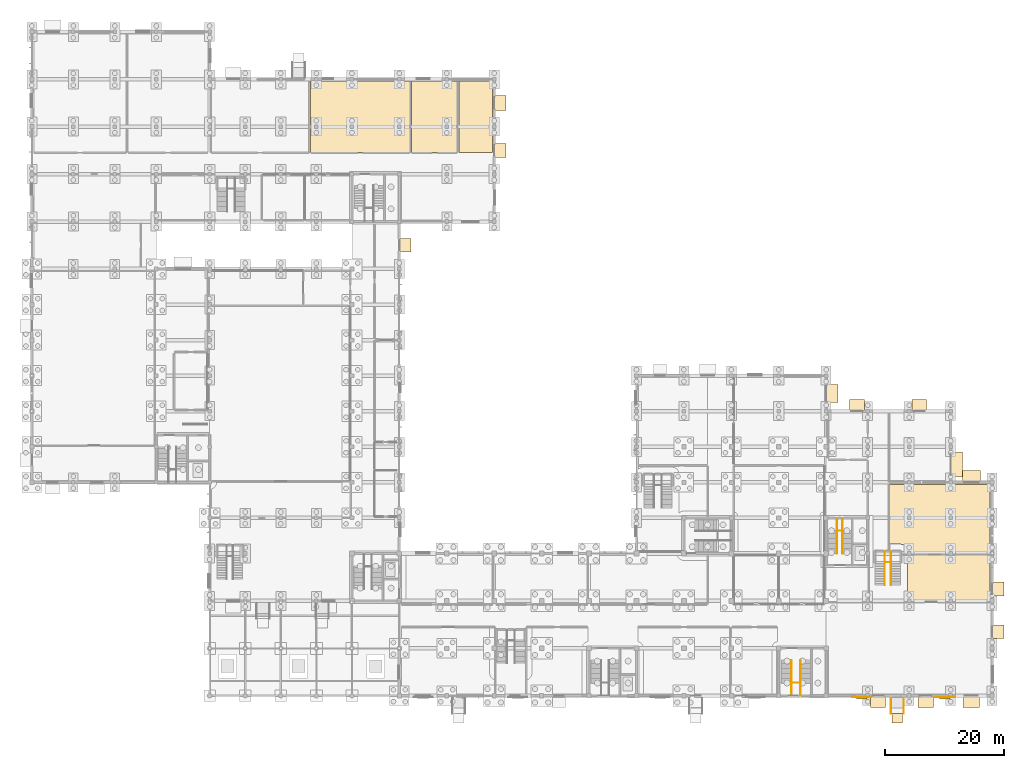
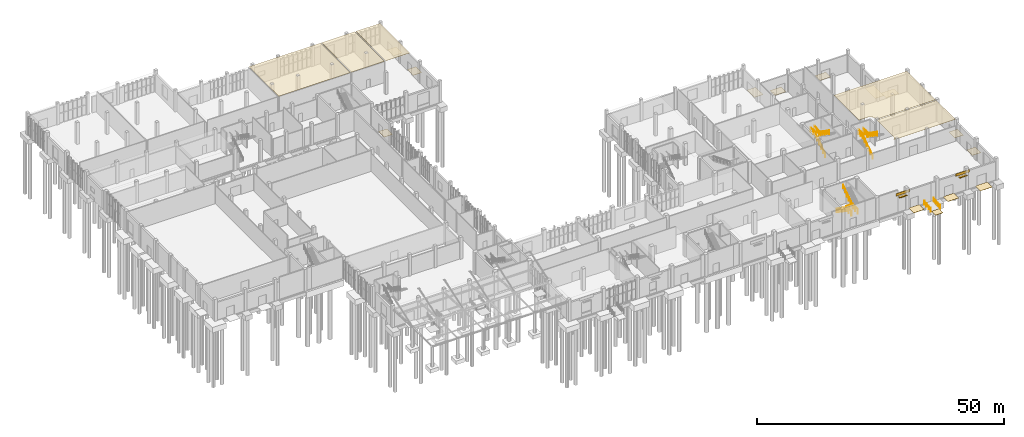
# One storey, part 68 of 69: 21 coverings, 11 railings, 2 shading devices.
"""IFC4 building model written with IfcOpenShell, lengths in metres."""

from ifc_helpers import new_model, si_unit, direction, frame, origin, origin_2d, place, context, subcontext, project, spatial, polyline, rectangle, circle, outline, extrude, material, layer, layer_set, type_object, element, save


model = new_model("IFC4")

# Units and contexts
model_context = context("Model", 3, precision=1e-05, world=origin(), true_north=direction((0.0, 1.0)))
body_context = subcontext(model_context, "Body", "Model", "MODEL_VIEW")
ifc_project = project(units=[si_unit("LENGTHUNIT", "METRE"), si_unit("AREAUNIT", "SQUARE_METRE"), si_unit("VOLUMEUNIT", "CUBIC_METRE"), si_unit("PLANEANGLEUNIT", "RADIAN"), si_unit("MASSUNIT", "GRAM", prefix="KILO")], contexts=[model_context])

# Site, building, storey
site_placement = place(None, origin())
site = spatial("IfcSite", under=ifc_project, at=site_placement, CompositionType="ELEMENT")
building_placement = place(site_placement, origin())
building = spatial("IfcBuilding", under=site, at=building_placement, Name="Solvane Community Centre", CompositionType="ELEMENT")
storey_placement = place(building_placement, origin())
storey = spatial("IfcBuildingStorey", under=building, at=storey_placement, Name="L00", CompositionType="ELEMENT", Elevation=0.0)

# Coverings
ifc_material_1 = material(Name="Acoustic timber slat ceiling", Category="wood")
ifc_layer_1 = layer(ifc_material_1, 0.0400390625)
ifc_layer_set_1 = layer_set([ifc_layer_1], Name="Acoustic timber slat ceiling")
covering_type_1 = type_object("IfcCoveringType", Name="Acoustic Timber Slat Suspended Ceiling", PredefinedType="CEILING", material=ifc_layer_set_1)
covering_1_placement = place(storey_placement, frame((0.0, 0.0, 5.135009765625)))
element("IfcCovering", 1, at=covering_1_placement, inside=storey, type_object=covering_type_1, Name="Acoustic Ceiling L00-37", PredefinedType="CEILING", context=body_context, shape_type="SweptSolid", body=[
    extrude(outline(polyline([(167.679931640625, 29.780029296875), (167.679931640625, 22.02001953125), (153.218994140625, 22.02001953125), (153.28466796875, 22.063720703125), (153.297119140625, 22.072998046875), (153.373046875, 22.135498046875), (153.384765625, 22.14599609375), (153.4541015625, 22.21533203125), (153.464599609375, 22.226806640625), (153.52685546875, 22.302734375), (153.5361328125, 22.3154296875), (153.5908203125, 22.39697265625), (153.598876953125, 22.410400390625), (153.64501953125, 22.4970703125), (153.65185546875, 22.51123046875), (153.689453125, 22.601806640625), (153.694580078125, 22.61669921875), (153.72314453125, 22.710693359375), (153.72705078125, 22.725830078125), (153.74609375, 22.822021484375), (153.748291015625, 22.837646484375), (153.758056640625, 22.935302734375), (153.7587890625, 22.950927734375), (153.760009765625, 23.0), (153.760009765625, 29.780029296875), (167.679931640625, 29.780029296875)])), origin(), (0.0, 0.0, 1.0), 0.0400390625),
])
covering_2_placement = place(storey_placement, frame((0.0, 0.0, 5.135009765625)))
element("IfcCovering", 2, at=covering_2_placement, inside=storey, type_object=covering_type_1, Name="Acoustic Ceiling L00-40", PredefinedType="CEILING", context=body_context, shape_type="SweptSolid", body=[
    extrude(outline(polyline([(150.6201171875, 41.679931640625), (167.679931640625, 41.679931640625), (167.679931640625, 30.02001953125), (153.760009765625, 30.02001953125), (153.760009765625, 30.39990234375), (153.7587890625, 30.44921875), (153.758056640625, 30.46484375), (153.748291015625, 30.5625), (153.74609375, 30.577880859375), (153.72705078125, 30.67431640625), (153.72314453125, 30.689453125), (153.694580078125, 30.783203125), (153.689453125, 30.798095703125), (153.65185546875, 30.888916015625), (153.64501953125, 30.903076171875), (153.598876953125, 30.989501953125), (153.5908203125, 31.0029296875), (153.5361328125, 31.084716796875), (153.52685546875, 31.09716796875), (153.464599609375, 31.173095703125), (153.4541015625, 31.184814453125), (153.384765625, 31.254150390625), (153.373046875, 31.2646484375), (153.297119140625, 31.326904296875), (153.28466796875, 31.336181640625), (153.202880859375, 31.390869140625), (153.189453125, 31.398681640625), (153.10302734375, 31.445068359375), (153.0888671875, 31.451904296875), (152.998046875, 31.489501953125), (152.9833984375, 31.49462890625), (152.889404296875, 31.523193359375), (152.874267578125, 31.527099609375), (152.77783203125, 31.546142578125), (152.762451171875, 31.54833984375), (152.664794921875, 31.55810546875), (152.649169921875, 31.558837890625), (152.60009765625, 31.56005859375), (150.6201171875, 31.56005859375), (150.6201171875, 41.679931640625)])), origin(), (0.0, 0.0, 1.0), 0.0400390625),
])
covering_3_placement = place(storey_placement, frame((0.0, 0.0, 5.135009765625)))
element("IfcCovering", 3, at=covering_3_placement, inside=storey, type_object=covering_type_1, Name="Acoustic Ceiling L00-53", PredefinedType="CEILING", context=body_context, shape_type="SweptSolid", body=[
    extrude(outline(polyline([(53.02001953125, 97.6201171875), (53.02001953125, 109.679931640625), (69.780029296875, 109.679931640625), (69.780029296875, 97.6201171875), (53.02001953125, 97.6201171875)])), origin(), (0.0, 0.0, 1.0), 0.0400390625),
])
covering_4_placement = place(storey_placement, frame((0.0, 0.0, 5.135009765625)))
element("IfcCovering", 4, at=covering_4_placement, inside=storey, type_object=covering_type_1, Name="Acoustic Ceiling L00-54", PredefinedType="CEILING", context=body_context, shape_type="SweptSolid", body=[
    extrude(outline(polyline([(70.02001953125, 97.6201171875), (70.02001953125, 109.679931640625), (77.780029296875, 109.679931640625), (77.780029296875, 97.6201171875), (70.02001953125, 97.6201171875)])), origin(), (0.0, 0.0, 1.0), 0.0400390625),
])
covering_5_placement = place(storey_placement, frame((0.0, 0.0, 5.135009765625)))
element("IfcCovering", 5, at=covering_5_placement, inside=storey, type_object=covering_type_1, Name="Acoustic Ceiling L00-55", PredefinedType="CEILING", context=body_context, shape_type="SweptSolid", body=[
    extrude(outline(polyline([(78.02001953125, 97.6201171875), (78.02001953125, 109.679931640625), (83.679931640625, 109.679931640625), (83.679931640625, 97.6201171875), (78.02001953125, 97.6201171875)])), origin(), (0.0, 0.0, 1.0), 0.0400390625),
])

# Railings
ifc_material_2 = material(Name="Anodised bronze aluminium AW-6063 T6", Category="aluminium")
railing_type_1 = type_object("IfcRailingType", Name="Interior Gallery & Stair Well Guard 1150mm", PredefinedType="BALUSTRADE", material=ifc_material_2)
railing_1_placement = place(storey_placement, frame((134.14990234375, 6.06005859375, 2.699951171875)))
element("IfcRailing", 6, at=railing_1_placement, inside=storey, type_object=railing_type_1, Name="Railing GR-L00-041", PredefinedType="BALUSTRADE", context=body_context, shape_type="SweptSolid", body=[
    extrude(circle(Radius=0.02392578125, at=origin_2d()), frame((0.0, 0.0, 1.1259765625), z_axis=(0.0, 1.0, 0.0), x_axis=(-1.0, 0.0, 0.0)), (0.0, 0.0, 1.0), 2.119873046875),
    extrude(circle(Radius=0.02392578125, at=origin_2d()), frame((0.0, 2.119873046875, 1.1259765625), z_axis=(1.0, 0.0, 0.0), x_axis=(0.0, 1.0, 0.0)), (0.0, 0.0, 1.0), 1.5),
    extrude(circle(Radius=0.02392578125, at=origin_2d()), frame((1.5, 2.119873046875, 1.1259765625), z_axis=(0.0, -1.0, 0.0), x_axis=(1.0, 0.0, 0.0)), (0.0, 0.0, 1.0), 2.119873046875),
    extrude(circle(Radius=0.02099609375, at=origin_2d()), origin(), (0.0, 0.0, 1.0), 1.101806640625),
    extrude(circle(Radius=0.02099609375, at=origin_2d()), frame((0.0, 1.06005859375, 0.0)), (0.0, 0.0, 1.0), 1.101806640625),
    extrude(circle(Radius=0.02099609375, at=origin_2d()), frame((0.0, 2.119873046875, 0.0)), (0.0, 0.0, 1.0), 1.101806640625),
    extrude(circle(Radius=0.02099609375, at=origin_2d()), frame((0.75, 2.119873046875, 0.0)), (0.0, 0.0, 1.0), 1.101806640625),
    extrude(circle(Radius=0.02099609375, at=origin_2d()), frame((1.5, 2.119873046875, 0.0)), (0.0, 0.0, 1.0), 1.101806640625),
    extrude(circle(Radius=0.02099609375, at=origin_2d()), frame((1.5, 1.06005859375, 0.0)), (0.0, 0.0, 1.0), 1.101806640625),
    extrude(circle(Radius=0.02099609375, at=origin_2d()), frame((1.5, 0.0, 0.0)), (0.0, 0.0, 1.0), 1.101806640625),
])
railing_2_placement = place(storey_placement, frame((141.85009765625, 35.93994140625, 2.699951171875)))
element("IfcRailing", 7, at=railing_2_placement, inside=storey, type_object=railing_type_1, Name="Railing GR-L00-088", PredefinedType="BALUSTRADE", context=body_context, shape_type="SweptSolid", body=[
    extrude(circle(Radius=0.02392578125, at=origin_2d()), frame((0.0, 0.0, 1.1259765625), z_axis=(0.0, -1.0, 0.0), x_axis=(1.0, 0.0, 0.0)), (0.0, 0.0, 1.0), 2.119873046875),
    extrude(circle(Radius=0.02392578125, at=origin_2d()), frame((0.0, -2.119873046875, 1.1259765625), z_axis=(1.0, 0.0, 0.0), x_axis=(0.0, 1.0, 0.0)), (0.0, 0.0, 1.0), 0.89990234375),
    extrude(circle(Radius=0.02392578125, at=origin_2d()), frame((0.89990234375, -2.119873046875, 1.1259765625), z_axis=(0.0, 1.0, 0.0), x_axis=(-1.0, 0.0, 0.0)), (0.0, 0.0, 1.0), 2.119873046875),
    extrude(circle(Radius=0.02099609375, at=origin_2d()), origin(), (0.0, 0.0, 1.0), 1.101806640625),
    extrude(circle(Radius=0.02099609375, at=origin_2d()), frame((0.0, -1.06005859375, 0.0)), (0.0, 0.0, 1.0), 1.101806640625),
    extrude(circle(Radius=0.02099609375, at=origin_2d()), frame((0.0, -2.119873046875, 0.0)), (0.0, 0.0, 1.0), 1.101806640625),
    extrude(circle(Radius=0.02099609375, at=origin_2d()), frame((0.89990234375, -2.119873046875, 0.0)), (0.0, 0.0, 1.0), 1.101806640625),
    extrude(circle(Radius=0.02099609375, at=origin_2d()), frame((0.89990234375, -1.06005859375, 0.0)), (0.0, 0.0, 1.0), 1.101806640625),
    extrude(circle(Radius=0.02099609375, at=origin_2d()), frame((0.89990234375, 0.0, 0.0)), (0.0, 0.0, 1.0), 1.101806640625),
])
railing_3_placement = place(storey_placement, frame((149.8701171875, 30.340087890625, 2.699951171875)))
element("IfcRailing", 8, at=railing_3_placement, inside=storey, type_object=railing_type_1, Name="Railing GR-L00-120", PredefinedType="BALUSTRADE", context=body_context, shape_type="SweptSolid", body=[
    extrude(circle(Radius=0.02392578125, at=origin_2d()), frame((0.0, 0.0, 1.1259765625), z_axis=(0.0, -1.0, 0.0), x_axis=(1.0, 0.0, 0.0)), (0.0, 0.0, 1.0), 1.820068359375),
    extrude(circle(Radius=0.02392578125, at=origin_2d()), frame((0.0, -1.820068359375, 1.1259765625), z_axis=(1.0, 0.0, 0.0), x_axis=(0.0, 1.0, 0.0)), (0.0, 0.0, 1.0), 1.059814453125),
    extrude(circle(Radius=0.02392578125, at=origin_2d()), frame((1.059814453125, -1.820068359375, 1.1259765625), z_axis=(0.0, 1.0, 0.0), x_axis=(-1.0, 0.0, 0.0)), (0.0, 0.0, 1.0), 1.820068359375),
    extrude(circle(Radius=0.02099609375, at=origin_2d()), origin(), (0.0, 0.0, 1.0), 1.101806640625),
    extrude(circle(Radius=0.02099609375, at=origin_2d()), frame((0.0, -0.91015625, 0.0)), (0.0, 0.0, 1.0), 1.101806640625),
    extrude(circle(Radius=0.02099609375, at=origin_2d()), frame((0.0, -1.820068359375, 0.0)), (0.0, 0.0, 1.0), 1.101806640625),
    extrude(circle(Radius=0.02099609375, at=origin_2d()), frame((1.059814453125, -1.820068359375, 0.0)), (0.0, 0.0, 1.0), 1.101806640625),
    extrude(circle(Radius=0.02099609375, at=origin_2d()), frame((1.059814453125, -0.91015625, 0.0)), (0.0, 0.0, 1.0), 1.101806640625),
    extrude(circle(Radius=0.02099609375, at=origin_2d()), frame((1.059814453125, 0.0, 0.0)), (0.0, 0.0, 1.0), 1.101806640625),
])
railing_type_2 = type_object("IfcRailingType", Name="Ramp Handrail 900mm", PredefinedType="HANDRAIL", material=ifc_material_2)
for number, where, name in (
    (9, (153.080078125, 3.0, -0.239990234375), "Ramp Handrail RMP-05"),
    (10, (150.919921875, 3.0, -0.239990234375), "Ramp Handrail RMP-05"),
):
    element("IfcRailing", number, at=place(storey_placement, frame(where)), inside=storey, type_object=railing_type_2, Name=name, PredefinedType="HANDRAIL", context=body_context, shape_type="SweptSolid", body=[
        extrude(circle(Radius=0.02392578125, at=origin_2d()), frame((0.0, 0.0, 0.8759765625), z_axis=(0.0, 0.99693998236, 0.078170784639), x_axis=(-1.0, 0.0, 0.0)), (0.0, 0.0, 1.0), 2.557861328125),
        extrude(circle(Radius=0.02099609375, at=origin_2d()), origin(), (0.0, 0.0, 1.0), 0.851806640625),
        extrude(circle(Radius=0.02099609375, at=origin_2d()), frame((0.0, 0.85009765625, 0.066650390625)), (0.0, 0.0, 1.0), 0.851806640625),
        extrude(circle(Radius=0.02099609375, at=origin_2d()), frame((0.0, 1.699951171875, 0.13330078125)), (0.0, 0.0, 1.0), 0.851806640625),
        extrude(circle(Radius=0.02099609375, at=origin_2d()), frame((0.0, 2.550048828125, 0.199951171875)), (0.0, 0.0, 1.0), 0.851806640625),
    ])
railing_type_3 = type_object("IfcRailingType", Name="Stair Pitch Handrail 900mm", PredefinedType="HANDRAIL", material=ifc_material_2)
railing_4_placement = place(storey_placement, frame((134.14990234375, 12.0, 0.0)))
element("IfcRailing", 11, at=railing_4_placement, inside=storey, type_object=railing_type_3, Name="Railing HR-L00-039", PredefinedType="HANDRAIL", context=body_context, shape_type="SweptSolid", body=[
    extrude(circle(Radius=0.02392578125, at=origin_2d()), frame((0.0, 0.0, 0.8759765625), z_axis=(0.0, -0.823550731654, 0.567242622158), x_axis=(1.0, 0.0, 0.0)), (0.0, 0.0, 1.0), 4.759765625),
    extrude(circle(Radius=0.02099609375, at=origin_2d()), origin(), (0.0, 0.0, 1.0), 0.851806640625),
    extrude(circle(Radius=0.02099609375, at=origin_2d()), frame((0.0, -0.783935546875, 0.5400390625)), (0.0, 0.0, 1.0), 0.851806640625),
    extrude(circle(Radius=0.02099609375, at=origin_2d()), frame((0.0, -1.56787109375, 1.080078125)), (0.0, 0.0, 1.0), 0.851806640625),
    extrude(circle(Radius=0.02099609375, at=origin_2d()), frame((0.0, -2.35205078125, 1.619873046875)), (0.0, 0.0, 1.0), 0.851806640625),
    extrude(circle(Radius=0.02099609375, at=origin_2d()), frame((0.0, -3.135986328125, 2.159912109375)), (0.0, 0.0, 1.0), 0.851806640625),
    extrude(circle(Radius=0.02099609375, at=origin_2d()), frame((0.0, -3.919921875, 2.699951171875)), (0.0, 0.0, 1.0), 0.851806640625),
])
for number, where, name in (
    (12, (135.64990234375, 8.080078125, 2.699951171875), "Railing HR-L00-040"),
    (13, (141.85009765625, 30.0, 0.0), "Railing HR-L00-086"),
):
    element("IfcRailing", number, at=place(storey_placement, frame(where)), inside=storey, type_object=railing_type_3, Name=name, PredefinedType="HANDRAIL", context=body_context, shape_type="SweptSolid", body=[
        extrude(circle(Radius=0.02392578125, at=origin_2d()), frame((0.0, 0.0, 0.8759765625), z_axis=(0.0, 0.823550731654, 0.567242622158), x_axis=(-1.0, 0.0, 0.0)), (0.0, 0.0, 1.0), 4.759765625),
        extrude(circle(Radius=0.02099609375, at=origin_2d()), origin(), (0.0, 0.0, 1.0), 0.851806640625),
        extrude(circle(Radius=0.02099609375, at=origin_2d()), frame((0.0, 0.783935546875, 0.5400390625)), (0.0, 0.0, 1.0), 0.851806640625),
        extrude(circle(Radius=0.02099609375, at=origin_2d()), frame((0.0, 1.56787109375, 1.080078125)), (0.0, 0.0, 1.0), 0.851806640625),
        extrude(circle(Radius=0.02099609375, at=origin_2d()), frame((0.0, 2.35205078125, 1.619873046875)), (0.0, 0.0, 1.0), 0.851806640625),
        extrude(circle(Radius=0.02099609375, at=origin_2d()), frame((0.0, 3.135986328125, 2.159912109375)), (0.0, 0.0, 1.0), 0.851806640625),
        extrude(circle(Radius=0.02099609375, at=origin_2d()), frame((0.0, 3.919921875, 2.699951171875)), (0.0, 0.0, 1.0), 0.851806640625),
    ])
railing_5_placement = place(storey_placement, frame((142.75, 33.919921875, 2.699951171875)))
element("IfcRailing", 14, at=railing_5_placement, inside=storey, type_object=railing_type_3, Name="Railing HR-L00-087", PredefinedType="HANDRAIL", context=body_context, shape_type="SweptSolid", body=[
    extrude(circle(Radius=0.02392578125, at=origin_2d()), frame((0.0, 0.0, 0.8759765625), z_axis=(0.0, -0.823550731654, 0.567242622158), x_axis=(1.0, 0.0, 0.0)), (0.0, 0.0, 1.0), 4.759765625),
    extrude(circle(Radius=0.02099609375, at=origin_2d()), origin(), (0.0, 0.0, 1.0), 0.851806640625),
    extrude(circle(Radius=0.02099609375, at=origin_2d()), frame((0.0, -0.783935546875, 0.5400390625)), (0.0, 0.0, 1.0), 0.851806640625),
    extrude(circle(Radius=0.02099609375, at=origin_2d()), frame((0.0, -1.56787109375, 1.080078125)), (0.0, 0.0, 1.0), 0.851806640625),
    extrude(circle(Radius=0.02099609375, at=origin_2d()), frame((0.0, -2.35205078125, 1.619873046875)), (0.0, 0.0, 1.0), 0.851806640625),
    extrude(circle(Radius=0.02099609375, at=origin_2d()), frame((0.0, -3.135986328125, 2.159912109375)), (0.0, 0.0, 1.0), 0.851806640625),
    extrude(circle(Radius=0.02099609375, at=origin_2d()), frame((0.0, -3.919921875, 2.699951171875)), (0.0, 0.0, 1.0), 0.851806640625),
])
railing_6_placement = place(storey_placement, frame((149.8701171875, 24.699951171875, 0.0)))
element("IfcRailing", 15, at=railing_6_placement, inside=storey, type_object=railing_type_3, Name="Railing HR-L00-118", PredefinedType="HANDRAIL", context=body_context, shape_type="SweptSolid", body=[
    extrude(circle(Radius=0.02392578125, at=origin_2d()), frame((0.0, 0.0, 0.8759765625), z_axis=(0.0, 0.823567234665, 0.567218661528), x_axis=(-1.0, 0.0, 0.0)), (0.0, 0.0, 1.0), 4.760009765625),
    extrude(circle(Radius=0.02099609375, at=origin_2d()), origin(), (0.0, 0.0, 1.0), 0.851806640625),
    extrude(circle(Radius=0.02099609375, at=origin_2d()), frame((0.0, 0.783935546875, 0.5400390625)), (0.0, 0.0, 1.0), 0.851806640625),
    extrude(circle(Radius=0.02099609375, at=origin_2d()), frame((0.0, 1.568115234375, 1.080078125)), (0.0, 0.0, 1.0), 0.851806640625),
    extrude(circle(Radius=0.02099609375, at=origin_2d()), frame((0.0, 2.35205078125, 1.619873046875)), (0.0, 0.0, 1.0), 0.851806640625),
    extrude(circle(Radius=0.02099609375, at=origin_2d()), frame((0.0, 3.13623046875, 2.159912109375)), (0.0, 0.0, 1.0), 0.851806640625),
    extrude(circle(Radius=0.02099609375, at=origin_2d()), frame((0.0, 3.920166015625, 2.699951171875)), (0.0, 0.0, 1.0), 0.851806640625),
])
railing_7_placement = place(storey_placement, frame((150.929931640625, 28.6201171875, 2.699951171875)))
element("IfcRailing", 16, at=railing_7_placement, inside=storey, type_object=railing_type_3, Name="Railing HR-L00-119", PredefinedType="HANDRAIL", context=body_context, shape_type="SweptSolid", body=[
    extrude(circle(Radius=0.02392578125, at=origin_2d()), frame((0.0, 0.0, 0.8759765625), z_axis=(0.0, -0.823567234665, 0.567218661528), x_axis=(1.0, 0.0, 0.0)), (0.0, 0.0, 1.0), 4.760009765625),
    extrude(circle(Radius=0.02099609375, at=origin_2d()), origin(), (0.0, 0.0, 1.0), 0.851806640625),
    extrude(circle(Radius=0.02099609375, at=origin_2d()), frame((0.0, -0.783935546875, 0.5400390625)), (0.0, 0.0, 1.0), 0.851806640625),
    extrude(circle(Radius=0.02099609375, at=origin_2d()), frame((0.0, -1.568115234375, 1.080078125)), (0.0, 0.0, 1.0), 0.851806640625),
    extrude(circle(Radius=0.02099609375, at=origin_2d()), frame((0.0, -2.35205078125, 1.619873046875)), (0.0, 0.0, 1.0), 0.851806640625),
    extrude(circle(Radius=0.02099609375, at=origin_2d()), frame((0.0, -3.13623046875, 2.159912109375)), (0.0, 0.0, 1.0), 0.851806640625),
    extrude(circle(Radius=0.02099609375, at=origin_2d()), frame((0.0, -3.920166015625, 2.699951171875)), (0.0, 0.0, 1.0), 0.851806640625),
])

# Coverings
ifc_material_3 = material(Name="Precast concrete C35/45", Category="concrete")
ifc_layer_2 = layer(ifc_material_3, 0.0400390625)
ifc_layer_set_2 = layer_set([ifc_layer_2], Name="Precast concrete C35/45")
covering_type_2 = type_object("IfcCoveringType", Name="Stone Entrance Threshold Apron", PredefinedType="FLOORING", material=ifc_layer_set_2)
covering_6_placement = place(storey_placement, frame((0.0, 0.0, -0.0400390625)))
element("IfcCovering", 17, at=covering_6_placement, inside=storey, type_object=covering_type_2, Name="Entrance Threshold Apron L00-ED01", PredefinedType="FLOORING", context=body_context, shape_type="SweptSolid", body=[
    extrude(outline(polyline([(165.89990234375, 6.0), (163.10009765625, 6.0), (163.10009765625, 4.0), (165.89990234375, 4.0), (165.89990234375, 6.0)])), origin(), (0.0, 0.0, 1.0), 0.0400390625),
])
covering_7_placement = place(storey_placement, frame((0.0, 0.0, -0.0400390625)))
element("IfcCovering", 18, at=covering_7_placement, inside=storey, type_object=covering_type_2, Name="Entrance Threshold Apron L00-ED02", PredefinedType="FLOORING", context=body_context, shape_type="SweptSolid", body=[
    extrude(outline(polyline([(158.10791015625, 6.0), (155.508056640625, 6.0), (155.508056640625, 4.0), (158.10791015625, 4.0), (158.10791015625, 6.0)])), origin(), (0.0, 0.0, 1.0), 0.0400390625),
])
covering_8_placement = place(storey_placement, frame((0.0, 0.0, -0.0400390625)))
element("IfcCovering", 19, at=covering_8_placement, inside=storey, type_object=covering_type_2, Name="Entrance Threshold Apron L00-ED03", PredefinedType="FLOORING", context=body_context, shape_type="SweptSolid", body=[
    extrude(outline(polyline([(150.019287109375, 6.0), (147.519287109375, 6.0), (147.519287109375, 4.0), (150.019287109375, 4.0), (150.019287109375, 6.0)])), origin(), (0.0, 0.0, 1.0), 0.0400390625),
])
covering_9_placement = place(storey_placement, frame((0.0, 0.0, -0.0400390625)))
element("IfcCovering", 20, at=covering_9_placement, inside=storey, type_object=covering_type_2, Name="Entrance Threshold Apron L00-ED15", PredefinedType="FLOORING", context=body_context, shape_type="SweptSolid", body=[
    extrude(outline(polyline([(84.0, 107.25), (84.0, 104.75), (86.0, 104.75), (86.0, 107.25), (84.0, 107.25)])), origin(), (0.0, 0.0, 1.0), 0.0400390625),
])
covering_10_placement = place(storey_placement, frame((0.0, 0.0, -0.0400390625)))
element("IfcCovering", 21, at=covering_10_placement, inside=storey, type_object=covering_type_2, Name="Entrance Threshold Apron L00-ED16", PredefinedType="FLOORING", context=body_context, shape_type="SweptSolid", body=[
    extrude(outline(polyline([(84.0, 99.199951171875), (84.0, 96.800048828125), (86.0, 96.800048828125), (86.0, 99.199951171875), (84.0, 99.199951171875)])), origin(), (0.0, 0.0, 1.0), 0.0400390625),
])
covering_11_placement = place(storey_placement, frame((0.0, 0.0, -0.0400390625)))
element("IfcCovering", 22, at=covering_11_placement, inside=storey, type_object=covering_type_2, Name="Entrance Threshold Apron L00-ED17", PredefinedType="FLOORING", context=body_context, shape_type="SweptSolid", body=[
    extrude(outline(polyline([(68.0, 83.14990234375), (68.0, 80.85009765625), (70.0, 80.85009765625), (70.0, 83.14990234375), (68.0, 83.14990234375)])), origin(), (0.0, 0.0, 1.0), 0.0400390625),
])
covering_12_placement = place(storey_placement, frame((0.0, 0.0, -0.0400390625)))
element("IfcCovering", 23, at=covering_12_placement, inside=storey, type_object=covering_type_2, Name="Entrance Threshold Apron L00-ED20", PredefinedType="FLOORING", context=body_context, shape_type="SweptSolid", body=[
    extrude(outline(polyline([(143.89990234375, 54.0), (146.5, 54.0), (146.5, 56.0), (143.89990234375, 56.0), (143.89990234375, 54.0)])), origin(), (0.0, 0.0, 1.0), 0.0400390625),
])
covering_13_placement = place(storey_placement, frame((0.0, 0.0, -0.0400390625)))
element("IfcCovering", 24, at=covering_13_placement, inside=storey, type_object=covering_type_2, Name="Entrance Threshold Apron L00-ED21", PredefinedType="FLOORING", context=body_context, shape_type="SweptSolid", body=[
    extrude(outline(polyline([(154.449951171875, 54.0), (156.949951171875, 54.0), (156.949951171875, 56.0), (154.449951171875, 56.0), (154.449951171875, 54.0)])), origin(), (0.0, 0.0, 1.0), 0.0400390625),
])
covering_14_placement = place(storey_placement, frame((0.0, 0.0, -0.0400390625)))
element("IfcCovering", 25, at=covering_14_placement, inside=storey, type_object=covering_type_2, Name="Entrance Threshold Apron L00-ED22", PredefinedType="FLOORING", context=body_context, shape_type="SweptSolid", body=[
    extrude(outline(polyline([(168.0, 25.199951171875), (168.0, 22.800048828125), (170.0, 22.800048828125), (170.0, 25.199951171875), (168.0, 25.199951171875)])), origin(), (0.0, 0.0, 1.0), 0.0400390625),
])
covering_15_placement = place(storey_placement, frame((0.0, 0.0, -0.0400390625)))
element("IfcCovering", 26, at=covering_15_placement, inside=storey, type_object=covering_type_2, Name="Entrance Threshold Apron L00-ED23", PredefinedType="FLOORING", context=body_context, shape_type="SweptSolid", body=[
    extrude(outline(polyline([(168.0, 17.949951171875), (168.0, 15.64990234375), (170.0, 15.64990234375), (170.0, 17.949951171875), (168.0, 17.949951171875)])), origin(), (0.0, 0.0, 1.0), 0.0400390625),
])
covering_16_placement = place(storey_placement, frame((0.0, 0.0, -0.0400390625)))
element("IfcCovering", 27, at=covering_16_placement, inside=storey, type_object=covering_type_2, Name="Entrance Threshold Apron L00-ED24", PredefinedType="FLOORING", context=body_context, shape_type="SweptSolid", body=[
    extrude(outline(polyline([(161.0, 47.10009765625), (161.0, 42.89990234375), (163.0, 42.89990234375), (163.0, 47.10009765625), (161.0, 47.10009765625)])), origin(), (0.0, 0.0, 1.0), 0.0400390625),
])
covering_17_placement = place(storey_placement, frame((0.0, 0.0, -0.0400390625)))
element("IfcCovering", 28, at=covering_17_placement, inside=storey, type_object=covering_type_2, Name="Entrance Threshold Apron L00-ED25", PredefinedType="FLOORING", context=body_context, shape_type="SweptSolid", body=[
    extrude(outline(polyline([(163.0, 42.0), (166.0, 42.0), (166.0, 44.0), (163.0, 44.0), (163.0, 42.0)])), origin(), (0.0, 0.0, 1.0), 0.0400390625),
])
covering_18_placement = place(storey_placement, frame((0.0, 0.0, -0.0400390625)))
element("IfcCovering", 29, at=covering_18_placement, inside=storey, type_object=covering_type_2, Name="Entrance Threshold Apron L00-ED27", PredefinedType="FLOORING", context=body_context, shape_type="SweptSolid", body=[
    extrude(outline(polyline([(140.0, 58.5), (140.0, 55.5), (142.0, 55.5), (142.0, 58.5), (140.0, 58.5)])), origin(), (0.0, 0.0, 1.0), 0.0400390625),
])
covering_19_placement = place(storey_placement, frame((0.0, 0.0, -0.280029296875)))
element("IfcCovering", 30, at=covering_19_placement, inside=storey, type_object=covering_type_2, Name="Ramp Base Landing RMP-05", PredefinedType="FLOORING", context=body_context, shape_type="SweptSolid", body=[
    extrude(outline(polyline([(152.89990234375, 1.39990234375), (152.89990234375, 3.0), (151.10009765625, 3.0), (151.10009765625, 1.39990234375), (152.89990234375, 1.39990234375)])), origin(), (0.0, 0.0, 1.0), 0.0400390625),
])
ifc_material_4 = material(Name="Terracotta clay masonry", Category="masonry")
ifc_layer_3 = layer(ifc_material_4, 0.044921875)
ifc_layer_set_3 = layer_set([ifc_layer_3], Name="Terracotta clay masonry")
covering_type_3 = type_object("IfcCoveringType", Name="Terracotta Fluted Rainscreen Band", PredefinedType="CLADDING", material=ifc_layer_set_3)
for number, where, z_axis, x_axis, name in (
    (31, (146.0, 5.7900390625, 4.125), (0.0, 0.0, 1.0), (1.0, 0.0, 0.0), "Terracotta Rainscreen Band 5"),
    (32, (160.0, 5.7900390625, 4.125), (0.0, 0.0, 1.0), (1.0, 0.0, 0.0), "Terracotta Rainscreen Band 6"),
):
    element("IfcCovering", number, at=place(storey_placement, frame(where, z_axis=z_axis, x_axis=x_axis)), inside=storey, type_object=covering_type_3, Name=name, PredefinedType="CLADDING", context=body_context, shape_type="SweptSolid", body=[
        extrude(rectangle(XDim=3.199951171875, YDim=0.044921875, at=origin_2d()), origin(), (0.0, 0.0, 1.0), 0.64990234375),
    ])

# Shading devices
shading_device_type = type_object("IfcShadingDeviceType", Name="Window Sun-Hood Awning 1800x600", PredefinedType="AWNING", material=ifc_material_2)
for number, where, z_axis, x_axis, name in (
    (33, (146.0, 5.780029296875, 3.60986328125), (0.0, 0.0, 1.0), (1.0, 0.0, 0.0), "Art Deco Window Awning 5"),
    (34, (160.0, 5.780029296875, 3.60986328125), (0.0, 0.0, 1.0), (1.0, 0.0, 0.0), "Art Deco Window Awning 6"),
):
    element("IfcShadingDevice", number, at=place(storey_placement, frame(where, z_axis=z_axis, x_axis=x_axis)), inside=storey, type_object=shading_device_type, Name=name, PredefinedType="AWNING", context=body_context, shape_type="SweptSolid", body=[
        extrude(rectangle(XDim=1.800048828125, YDim=0.60009765625, at=origin_2d()), origin(), (0.0, 0.0, 1.0), 0.080078125),
    ])

save(model, "model.ifc")
